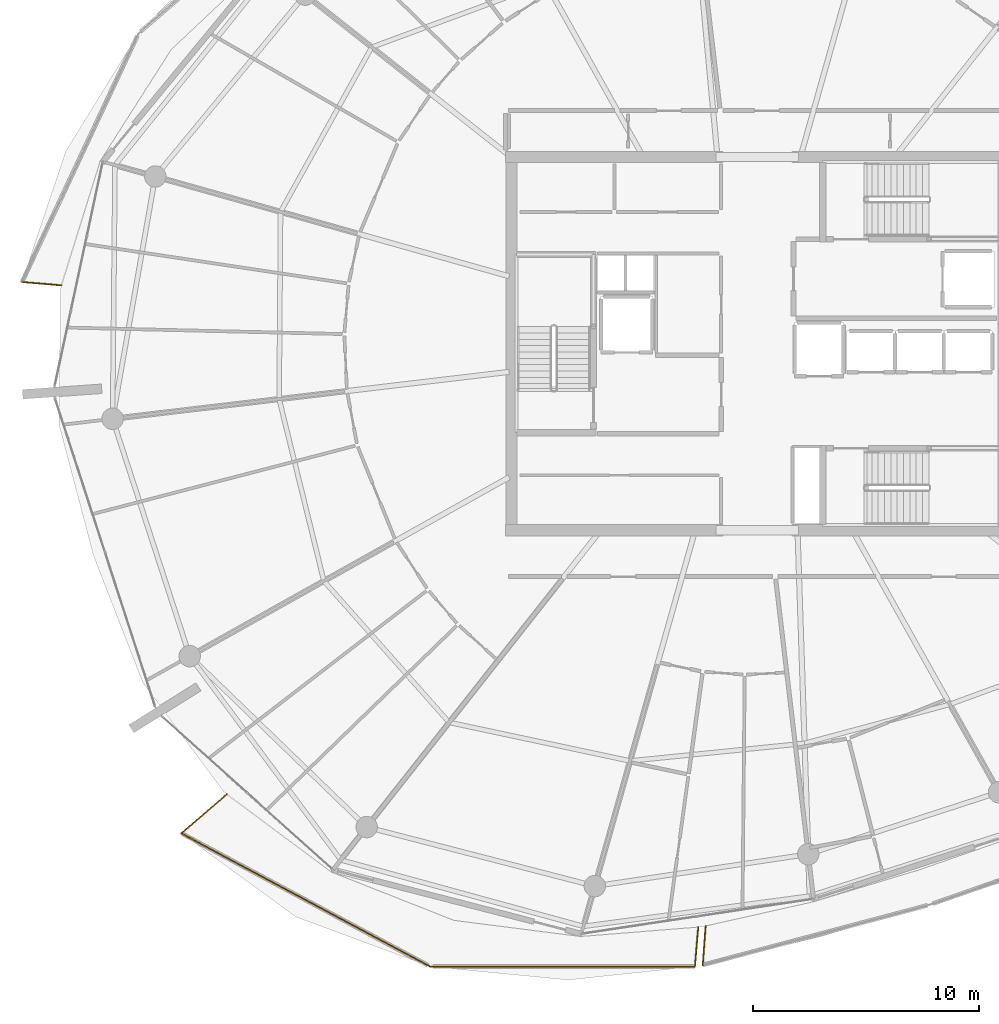
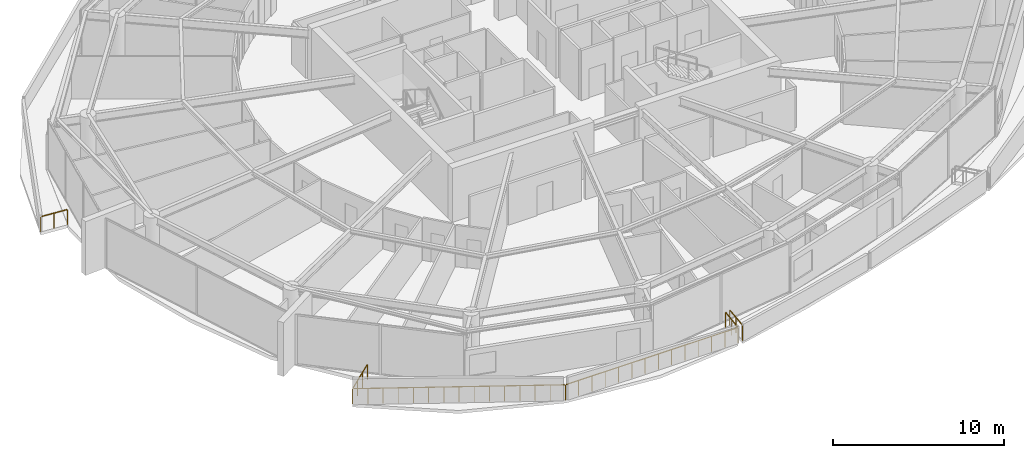
# One storey, part 24 of 30: 6 railings.
"""IFC4 building model written with IfcOpenShell, lengths in metres."""

from ifc_helpers import new_model, si_unit, direction, frame, origin, origin_2d, place, context, subcontext, project, spatial, rectangle, extrude, material, type_object, element, save


model = new_model("IFC4")

# Units and contexts
model_context = context("Model", 3, precision=1e-05, world=origin(), true_north=direction((0.0, 1.0)))
body_context = subcontext(model_context, "Body", "Model", "MODEL_VIEW")
ifc_project = project(units=[si_unit("LENGTHUNIT", "METRE"), si_unit("AREAUNIT", "SQUARE_METRE"), si_unit("VOLUMEUNIT", "CUBIC_METRE"), si_unit("PLANEANGLEUNIT", "RADIAN"), si_unit("MASSUNIT", "GRAM", prefix="KILO")], contexts=[model_context])

# Site, building, storey
site_placement = place(None, origin())
site = spatial("IfcSite", under=ifc_project, at=site_placement, CompositionType="ELEMENT")
building_placement = place(site_placement, origin())
building = spatial("IfcBuilding", under=site, at=building_placement, Name="Kazma Halo Residences", CompositionType="ELEMENT")
storey_placement = place(building_placement, frame((0.0, 0.0, 279.050048828125)))
storey = spatial("IfcBuildingStorey", under=building, at=storey_placement, Name="L70", CompositionType="ELEMENT", Elevation=279.050048828125)

# Railings
ifc_material = material(Name="Aluminium AW-6063 T6 Brushed Cap Rail", Category="aluminium")
railing_type = type_object("IfcRailingType", Name="RLG-BAL-CAP-1120", PredefinedType="BALUSTRADE", material=ifc_material)
railing_1_placement = place(storey_placement, frame((15.90966796875, 44.722900390625, 0.0)))
element("IfcRailing", 1, at=railing_1_placement, inside=storey, type_object=railing_type, Name="L70 NW wave balcony guard 4", PredefinedType="BALUSTRADE", context=body_context, shape_type="SweptSolid", body=[
    extrude(rectangle(XDim=0.050048828125, YDim=0.050048828125, at=origin_2d()), frame((0.04248046875, -0.003662109375, 1.09521484375), z_axis=(0.996417331857, -0.084572458722, 0.0), x_axis=(0.084572458722, 0.996417331857, 0.0)), (0.0, 0.0, 1.0), 1.661376953125),
    extrude(rectangle(XDim=0.0400390625, YDim=0.0400390625, at=origin_2d()), origin(), (0.0, 0.0, 1.0), 1.05810546875),
    extrude(rectangle(XDim=0.0400390625, YDim=0.0400390625, at=origin_2d()), frame((0.8701171875, -0.07373046875, 0.0)), (0.0, 0.0, 1.0), 1.05810546875),
    extrude(rectangle(XDim=0.0400390625, YDim=0.0400390625, at=origin_2d()), frame((1.740234375, -0.147705078125, 0.0)), (0.0, 0.0, 1.0), 1.05810546875),
])
railing_2_placement = place(storey_placement, frame((24.9599609375, 22.0771484375, 0.0)))
element("IfcRailing", 2, at=railing_2_placement, inside=storey, type_object=railing_type, Name="L70 SW wave balcony guard 1", PredefinedType="BALUSTRADE", context=body_context, shape_type="SweptSolid", body=[
    extrude(rectangle(XDim=0.050048828125, YDim=0.050048828125, at=origin_2d()), frame((-0.0322265625, -0.02783203125, 1.09521484375), z_axis=(-0.756423746387, -0.654081887765, 0.0), x_axis=(0.654081887765, -0.756423746387, 0.0)), (0.0, 0.0, 1.0), 2.5556640625),
    extrude(rectangle(XDim=0.0400390625, YDim=0.0400390625, at=origin_2d()), origin(), (0.0, 0.0, 1.0), 1.05810546875),
    extrude(rectangle(XDim=0.0400390625, YDim=0.0400390625, at=origin_2d()), frame((-0.665771484375, -0.57568359375, 0.0)), (0.0, 0.0, 1.0), 1.05810546875),
    extrude(rectangle(XDim=0.0400390625, YDim=0.0400390625, at=origin_2d()), frame((-1.331787109375, -1.151611328125, 0.0)), (0.0, 0.0, 1.0), 1.05810546875),
    extrude(rectangle(XDim=0.0400390625, YDim=0.0400390625, at=origin_2d()), frame((-1.99755859375, -1.727294921875, 0.0)), (0.0, 0.0, 1.0), 1.05810546875),
])
railing_3_placement = place(storey_placement, frame((22.96240234375, 20.349853515625, 0.0)))
element("IfcRailing", 3, at=railing_3_placement, inside=storey, type_object=railing_type, Name="L70 SW wave balcony guard 2", PredefinedType="BALUSTRADE", context=body_context, shape_type="SweptSolid", body=[
    extrude(rectangle(XDim=0.050048828125, YDim=0.050048828125, at=origin_2d()), frame((0.03759765625, -0.02001953125, 1.09521484375), z_axis=(0.881587822602, -0.472020032455, 0.0), x_axis=(0.472020032455, 0.881587822602, 0.0)), (0.0, 0.0, 1.0), 12.397216796875),
    extrude(rectangle(XDim=0.0400390625, YDim=0.0400390625, at=origin_2d()), origin(), (0.0, 0.0, 1.0), 1.05810546875),
    extrude(rectangle(XDim=0.0400390625, YDim=0.0400390625, at=origin_2d()), frame((0.7861328125, -0.4208984375, 0.0)), (0.0, 0.0, 1.0), 1.05810546875),
    extrude(rectangle(XDim=0.0400390625, YDim=0.0400390625, at=origin_2d()), frame((1.572021484375, -0.841796875, 0.0)), (0.0, 0.0, 1.0), 1.05810546875),
    extrude(rectangle(XDim=0.0400390625, YDim=0.0400390625, at=origin_2d()), frame((2.35791015625, -1.262451171875, 0.0)), (0.0, 0.0, 1.0), 1.05810546875),
    extrude(rectangle(XDim=0.0400390625, YDim=0.0400390625, at=origin_2d()), frame((3.14404296875, -1.683349609375, 0.0)), (0.0, 0.0, 1.0), 1.05810546875),
    extrude(rectangle(XDim=0.0400390625, YDim=0.0400390625, at=origin_2d()), frame((3.93017578125, -2.104248046875, 0.0)), (0.0, 0.0, 1.0), 1.05810546875),
    extrude(rectangle(XDim=0.0400390625, YDim=0.0400390625, at=origin_2d()), frame((4.716064453125, -2.525146484375, 0.0)), (0.0, 0.0, 1.0), 1.05810546875),
    extrude(rectangle(XDim=0.0400390625, YDim=0.0400390625, at=origin_2d()), frame((5.501953125, -2.94580078125, 0.0)), (0.0, 0.0, 1.0), 1.05810546875),
    extrude(rectangle(XDim=0.0400390625, YDim=0.0400390625, at=origin_2d()), frame((6.2880859375, -3.36669921875, 0.0)), (0.0, 0.0, 1.0), 1.05810546875),
    extrude(rectangle(XDim=0.0400390625, YDim=0.0400390625, at=origin_2d()), frame((7.07421875, -3.78759765625, 0.0)), (0.0, 0.0, 1.0), 1.05810546875),
    extrude(rectangle(XDim=0.0400390625, YDim=0.0400390625, at=origin_2d()), frame((7.860107421875, -4.20849609375, 0.0)), (0.0, 0.0, 1.0), 1.05810546875),
    extrude(rectangle(XDim=0.0400390625, YDim=0.0400390625, at=origin_2d()), frame((8.64599609375, -4.62939453125, 0.0)), (0.0, 0.0, 1.0), 1.05810546875),
    extrude(rectangle(XDim=0.0400390625, YDim=0.0400390625, at=origin_2d()), frame((9.43212890625, -5.050048828125, 0.0)), (0.0, 0.0, 1.0), 1.05810546875),
    extrude(rectangle(XDim=0.0400390625, YDim=0.0400390625, at=origin_2d()), frame((10.21826171875, -5.470947265625, 0.0)), (0.0, 0.0, 1.0), 1.05810546875),
    extrude(rectangle(XDim=0.0400390625, YDim=0.0400390625, at=origin_2d()), frame((11.004150390625, -5.891845703125, 0.0)), (0.0, 0.0, 1.0), 1.05810546875),
])
railing_4_placement = place(storey_placement, frame((33.966552734375, 14.4580078125, 0.0)))
element("IfcRailing", 4, at=railing_4_placement, inside=storey, type_object=railing_type, Name="L70 SW wave balcony guard 3", PredefinedType="BALUSTRADE", context=body_context, shape_type="SweptSolid", body=[
    extrude(rectangle(XDim=0.050048828125, YDim=0.050048828125, at=origin_2d()), frame((0.04248046875, 0.0, 1.09521484375), z_axis=(0.999999921363, 0.000396576884, 0.0), x_axis=(-0.000396576884, 0.999999921363, 0.0)), (0.0, 0.0, 1.0), 11.61181640625),
    extrude(rectangle(XDim=0.0400390625, YDim=0.0400390625, at=origin_2d()), origin(), (0.0, 0.0, 1.0), 1.05810546875),
    extrude(rectangle(XDim=0.0400390625, YDim=0.0400390625, at=origin_2d()), frame((0.899658203125, 0.000244140625, 0.0)), (0.0, 0.0, 1.0), 1.05810546875),
    extrude(rectangle(XDim=0.0400390625, YDim=0.0400390625, at=origin_2d()), frame((1.799560546875, 0.000732421875, 0.0)), (0.0, 0.0, 1.0), 1.05810546875),
    extrude(rectangle(XDim=0.0400390625, YDim=0.0400390625, at=origin_2d()), frame((2.69921875, 0.0009765625, 0.0)), (0.0, 0.0, 1.0), 1.05810546875),
    extrude(rectangle(XDim=0.0400390625, YDim=0.0400390625, at=origin_2d()), frame((3.59912109375, 0.00146484375, 0.0)), (0.0, 0.0, 1.0), 1.05810546875),
    extrude(rectangle(XDim=0.0400390625, YDim=0.0400390625, at=origin_2d()), frame((4.498779296875, 0.001708984375, 0.0)), (0.0, 0.0, 1.0), 1.05810546875),
    extrude(rectangle(XDim=0.0400390625, YDim=0.0400390625, at=origin_2d()), frame((5.3984375, 0.002197265625, 0.0)), (0.0, 0.0, 1.0), 1.05810546875),
    extrude(rectangle(XDim=0.0400390625, YDim=0.0400390625, at=origin_2d()), frame((6.29833984375, 0.00244140625, 0.0)), (0.0, 0.0, 1.0), 1.05810546875),
    extrude(rectangle(XDim=0.0400390625, YDim=0.0400390625, at=origin_2d()), frame((7.197998046875, 0.0029296875, 0.0)), (0.0, 0.0, 1.0), 1.05810546875),
    extrude(rectangle(XDim=0.0400390625, YDim=0.0400390625, at=origin_2d()), frame((8.09765625, 0.003173828125, 0.0)), (0.0, 0.0, 1.0), 1.05810546875),
    extrude(rectangle(XDim=0.0400390625, YDim=0.0400390625, at=origin_2d()), frame((8.99755859375, 0.003662109375, 0.0)), (0.0, 0.0, 1.0), 1.05810546875),
    extrude(rectangle(XDim=0.0400390625, YDim=0.0400390625, at=origin_2d()), frame((9.897216796875, 0.00390625, 0.0)), (0.0, 0.0, 1.0), 1.05810546875),
    extrude(rectangle(XDim=0.0400390625, YDim=0.0400390625, at=origin_2d()), frame((10.797119140625, 0.00439453125, 0.0)), (0.0, 0.0, 1.0), 1.05810546875),
    extrude(rectangle(XDim=0.0400390625, YDim=0.0400390625, at=origin_2d()), frame((11.69677734375, 0.004638671875, 0.0)), (0.0, 0.0, 1.0), 1.05810546875),
])
railing_5_placement = place(storey_placement, frame((45.663330078125, 14.462646484375, 0.0)))
element("IfcRailing", 5, at=railing_5_placement, inside=storey, type_object=railing_type, Name="L70 SW wave balcony guard 4", PredefinedType="BALUSTRADE", context=body_context, shape_type="SweptSolid", body=[
    extrude(rectangle(XDim=0.050048828125, YDim=0.050048828125, at=origin_2d()), frame((0.003662109375, 0.04248046875, 1.09521484375), z_axis=(0.084569892868, 0.996417549635, 0.0), x_axis=(-0.996417549635, 0.084569892868, 0.0)), (0.0, 0.0, 1.0), 1.664306640625),
    extrude(rectangle(XDim=0.0400390625, YDim=0.0400390625, at=origin_2d()), origin(), (0.0, 0.0, 1.0), 1.05810546875),
    extrude(rectangle(XDim=0.0400390625, YDim=0.0400390625, at=origin_2d()), frame((0.073974609375, 0.87158203125, 0.0)), (0.0, 0.0, 1.0), 1.05810546875),
    extrude(rectangle(XDim=0.0400390625, YDim=0.0400390625, at=origin_2d()), frame((0.14794921875, 1.7431640625, 0.0)), (0.0, 0.0, 1.0), 1.05810546875),
])
railing_6_placement = place(storey_placement, frame((46.1318359375, 16.25390625, 0.0)))
element("IfcRailing", 6, at=railing_6_placement, inside=storey, type_object=railing_type, Name="L70 SSE wave balcony guard 1", PredefinedType="BALUSTRADE", context=body_context, shape_type="SweptSolid", body=[
    extrude(rectangle(XDim=0.050048828125, YDim=0.050048828125, at=origin_2d()), frame((-0.003173828125, -0.04248046875, 1.09521484375), z_axis=(-0.072349491269, -0.997379341631, 0.0), x_axis=(0.997379341631, -0.072349491269, 0.0)), (0.0, 0.0, 1.0), 1.64599609375),
    extrude(rectangle(XDim=0.0400390625, YDim=0.0400390625, at=origin_2d()), origin(), (0.0, 0.0, 1.0), 1.05810546875),
    extrude(rectangle(XDim=0.0400390625, YDim=0.0400390625, at=origin_2d()), frame((-0.0625, -0.86328125, 0.0)), (0.0, 0.0, 1.0), 1.05810546875),
    extrude(rectangle(XDim=0.0400390625, YDim=0.0400390625, at=origin_2d()), frame((-0.125244140625, -1.7265625, 0.0)), (0.0, 0.0, 1.0), 1.05810546875),
])

save(model, "model.ifc")
